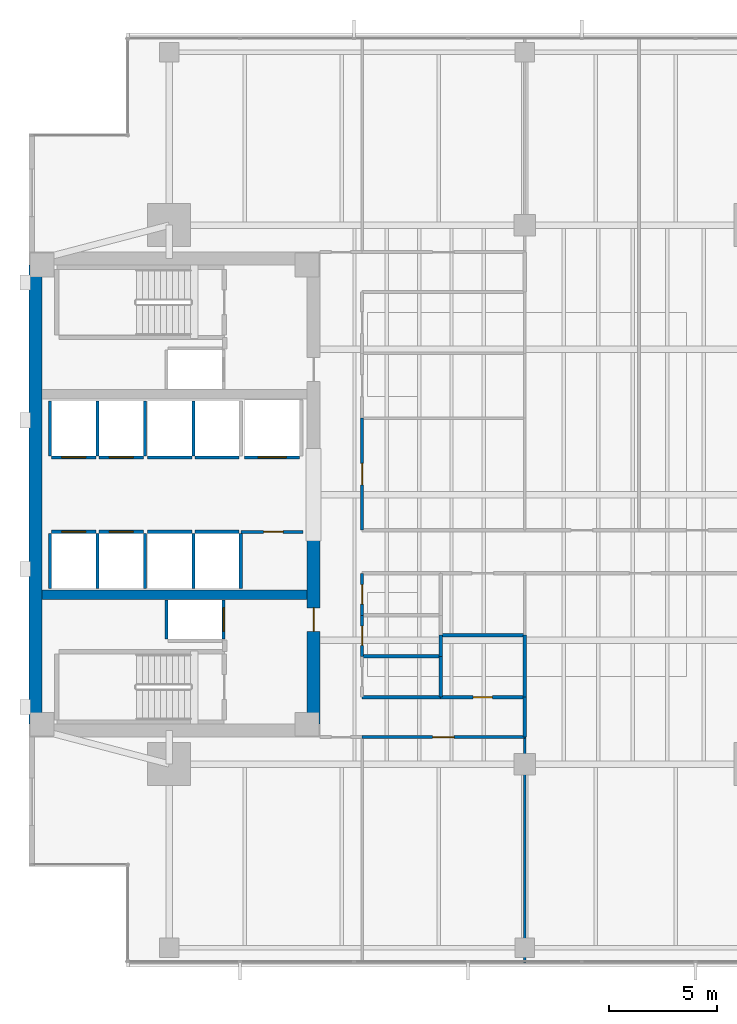
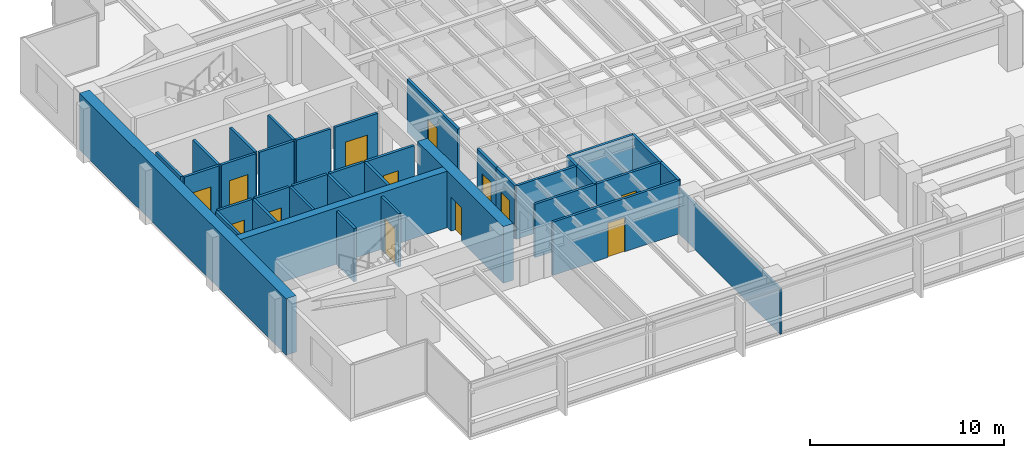
# One storey, part 9 of 15: 37 walls, 13 doors, 13 openings.
"""IFC4 building model written with IfcOpenShell, lengths in metres."""

from ifc_helpers import new_model, si_unit, direction, frame, frame_2d, origin, place, context, subcontext, project, spatial, rectangle, extrude, material, layer, layer_set, type_object, element, fill, save


model = new_model("IFC4")

# Units and contexts
model_context = context("Model", 3, precision=1e-05, world=origin(), true_north=direction((0.0, 1.0)))
body_context = subcontext(model_context, "Body", "Model", "MODEL_VIEW")
ifc_project = project(units=[si_unit("LENGTHUNIT", "METRE"), si_unit("AREAUNIT", "SQUARE_METRE"), si_unit("VOLUMEUNIT", "CUBIC_METRE"), si_unit("PLANEANGLEUNIT", "RADIAN"), si_unit("MASSUNIT", "GRAM", prefix="KILO")], contexts=[model_context])

# Site, building, storey
site_placement = place(None, origin())
site = spatial("IfcSite", under=ifc_project, at=site_placement, CompositionType="ELEMENT")
building_placement = place(site_placement, origin())
building = spatial("IfcBuilding", under=site, at=building_placement, Name="Kinhvarn Gate Tower", CompositionType="ELEMENT")
storey_placement = place(building_placement, frame((0.0, 0.0, 169.699951171875)))
storey = spatial("IfcBuildingStorey", under=building, at=storey_placement, Name="L45", CompositionType="ELEMENT", Elevation=169.699951171875)

# Wall
ifc_material_1 = material(Name="Concrete C50/60", Category="concrete")
ifc_layer_1 = layer(ifc_material_1, 0.449951171875)
ifc_layer_set_1 = layer_set([ifc_layer_1], Name="Concrete C50/60")
wall_type_1 = type_object("IfcWallType", Name="WL-CORE-450", PredefinedType="SHEAR", material=ifc_layer_set_1)
wall_1_placement = place(storey_placement, frame((5.10009765625, 20.60009765625, 0.0), z_axis=(0.0, 0.0, 1.0), x_axis=(1.0, 0.0, 0.0)))
element("IfcWall", 1, at=wall_1_placement, inside=storey, type_object=wall_type_1, Name="Core South Spine Shear Wall L45 450 mm", PredefinedType="SHEAR", context=body_context, shape_type="SweptSolid", body=[
    extrude(rectangle(XDim=12.2998046875, YDim=0.449951171875, at=frame_2d((6.14990234375, 0.0))), origin(), (0.0, 0.0, 1.0), 3.550048828125),
])

# Wall, opening, door
ifc_material_2 = material(Name="Concrete C60/75", Category="concrete")
ifc_layer_2 = layer(ifc_material_2, 0.60009765625)
ifc_layer_set_2 = layer_set([ifc_layer_2], Name="Concrete C60/75")
wall_type_2 = type_object("IfcWallType", Name="WL-CORE-600", PredefinedType="SHEAR", material=ifc_layer_set_2)
wall_2_placement = place(storey_placement, frame((17.699951171875, 14.60009765625, 0.0), z_axis=(0.0, 0.0, 1.0), x_axis=(0.0, 1.0, 0.0)))
wall_2 = element("IfcWall", 2, at=wall_2_placement, inside=storey, type_object=wall_type_2, Name="Core East-South Shear Pier L45 600 mm", PredefinedType="SHEAR", context=body_context, shape_type="SweptSolid", body=[
    extrude(rectangle(XDim=8.849853515625, YDim=0.60009765625, at=frame_2d((4.4248046875, 0.0))), origin(), (0.0, 0.0, 1.0), 3.550048828125),
])
opening_1_placement = place(wall_2_placement, frame((4.300048828125, 0.0, 0.0)))
opening_1 = element("IfcOpeningElement", 3, at=opening_1_placement, cuts=wall_2, Name="Opening FD-02", PredefinedType="OPENING", context=body_context, shape_type="SweptSolid", body=[
    extrude(rectangle(XDim=1.10009765625, YDim=2.14990234375, at=frame_2d((0.550048828125, 1.074951171875))), frame((0.0, 0.31005859375, 0.0), z_axis=(0.0, -1.0, 0.0), x_axis=(1.0, 0.0, 0.0)), (0.0, 0.0, 1.0), 0.6201171875),
])
ifc_material_3 = material(Name="Anodised aluminium AW-6063", Category="aluminium")
door_type_1 = type_object("IfcDoorType", Name="DR-FD-1100", OperationType="NOTDEFINED", PredefinedType="DOOR", material=ifc_material_3)
door_1_placement = place(opening_1_placement, origin())
door_1 = element("IfcDoor", 4, at=door_1_placement, inside=storey, type_object=door_type_1, Name="Firefighting Lobby Core Door (L45)", OperationType="SINGLE_SWING_RIGHT", OverallHeight=2.14990234375, OverallWidth=1.10009765625, PredefinedType="DOOR", context=body_context, shape_type="SweptSolid", body=[
    extrude(rectangle(XDim=1.10009765625, YDim=2.14990234375, at=frame_2d((0.550048828125, 1.074951171875))), frame((0.0, 0.02490234375, 0.0), z_axis=(0.0, -1.0, 0.0), x_axis=(1.0, 0.0, 0.0)), (0.0, 0.0, 1.0), 0.050048828125),
])
fill(opening_1, door_1)

# Walls
ifc_layer_3 = layer(ifc_material_2, 0.60009765625)
ifc_layer_set_3 = layer_set([ifc_layer_3], Name="Concrete C60/75")
wall_type_3 = type_object("IfcWallType", Name="WL-COREX-600", PredefinedType="SHEAR", material=ifc_layer_set_3)
wall_3_placement = place(storey_placement, frame((4.800048828125, 14.60009765625, 0.0), z_axis=(0.0, 0.0, 1.0), x_axis=(0.0, 1.0, 0.0)))
element("IfcWall", 5, at=wall_3_placement, inside=storey, type_object=wall_type_3, Name="Core West Shear Wall L45 600 mm", PredefinedType="SHEAR", context=body_context, shape_type="SweptSolid", body=[
    extrude(rectangle(XDim=21.2998046875, YDim=0.60009765625, at=frame_2d((10.64990234375, 0.0))), origin(), (0.0, 0.0, 1.0), 3.550048828125),
])
ifc_material_4 = material(Name="Gypsum acoustic partition board")
ifc_layer_4 = layer(ifc_material_4, 0.14990234375)
ifc_layer_set_4 = layer_set([ifc_layer_4], Name="Gypsum acoustic partition board")
wall_type_4 = type_object("IfcWallType", Name="WL-PLM-150", PredefinedType="PLUMBINGWALL", material=ifc_layer_set_4)
wall_4_placement = place(storey_placement, frame((19.949951171875, 17.75, 0.0), z_axis=(0.0, 0.0, 1.0), x_axis=(1.0, 0.0, 0.0)))
element("IfcWall", 6, at=wall_4_placement, inside=storey, type_object=wall_type_4, Name="Interior Partition PLW-150 (L45)", PredefinedType="PLUMBINGWALL", context=body_context, shape_type="SweptSolid", body=[
    extrude(rectangle(XDim=3.650146484375, YDim=0.14990234375, at=frame_2d((1.8251953125, 0.0))), origin(), (0.0, 0.0, 1.0), 3.35009765625),
])
wall_5_placement = place(storey_placement, frame((23.60009765625, 15.85009765625, 0.0), z_axis=(0.0, 0.0, 1.0), x_axis=(0.0, 1.0, 0.0)))
element("IfcWall", 7, at=wall_5_placement, inside=storey, type_object=wall_type_4, Name="Interior Partition PLW-150 (L45)", PredefinedType="PLUMBINGWALL", context=body_context, shape_type="SweptSolid", body=[
    extrude(rectangle(XDim=1.89990234375, YDim=0.14990234375, at=frame_2d((0.949951171875, 0.0))), origin(), (0.0, 0.0, 1.0), 3.35009765625),
])
wall_6_placement = place(storey_placement, frame((23.60009765625, 17.75, 0.0), z_axis=(0.0, 0.0, 1.0), x_axis=(0.0, 1.0, 0.0)))
element("IfcWall", 8, at=wall_6_placement, inside=storey, type_object=wall_type_4, Name="Interior Partition PLW-150 (L45)", PredefinedType="PLUMBINGWALL", context=body_context, shape_type="SweptSolid", body=[
    extrude(rectangle(XDim=0.97998046875, YDim=0.14990234375, at=frame_2d((0.489990234375, 0.0))), origin(), (0.0, 0.0, 1.0), 3.35009765625),
])
wall_7_placement = place(storey_placement, frame((23.60009765625, 18.72998046875, 0.0), z_axis=(0.0, 0.0, 1.0), x_axis=(1.0, 0.0, 0.0)))
element("IfcWall", 9, at=wall_7_placement, inside=storey, type_object=wall_type_4, Name="Interior Partition PLW-150 (L45)", PredefinedType="PLUMBINGWALL", context=body_context, shape_type="SweptSolid", body=[
    extrude(rectangle(XDim=3.89990234375, YDim=0.14990234375, at=frame_2d((1.949951171875, 0.0))), origin(), (0.0, 0.0, 1.0), 3.35009765625),
])
wall_8_placement = place(storey_placement, frame((27.5, 15.85009765625, 0.0), z_axis=(0.0, 0.0, 1.0), x_axis=(0.0, 1.0, 0.0)))
element("IfcWall", 10, at=wall_8_placement, inside=storey, type_object=wall_type_4, Name="Interior Partition PLW-150 (L45)", PredefinedType="PLUMBINGWALL", context=body_context, shape_type="SweptSolid", body=[
    extrude(rectangle(XDim=2.8798828125, YDim=0.14990234375, at=frame_2d((1.43994140625, 0.0))), origin(), (0.0, 0.0, 1.0), 3.35009765625),
])

# Wall, opening, door
ifc_layer_5 = layer(ifc_material_4, 0.14990234375)
ifc_layer_set_5 = layer_set([ifc_layer_5], Name="Gypsum acoustic partition board")
wall_type_5 = type_object("IfcWallType", Name="WL-PLM-150F", PredefinedType="PLUMBINGWALL", material=ifc_layer_set_5)
wall_9_placement = place(storey_placement, frame((19.949951171875, 17.75, 0.0), z_axis=(0.0, 0.0, 1.0), x_axis=(0.0, 1.0, 0.0)))
wall_9 = element("IfcWall", 11, at=wall_9_placement, inside=storey, type_object=wall_type_5, Name="Interior Partition PLW-150F (L45)", PredefinedType="PLUMBINGWALL", context=body_context, shape_type="SweptSolid", body=[
    extrude(rectangle(XDim=1.89990234375, YDim=0.14990234375, at=frame_2d((0.949951171875, 0.0))), origin(), (0.0, 0.0, 1.0), 3.35009765625),
])
opening_2_placement = place(wall_9_placement, frame((0.5, 0.0, 0.0)))
opening_2 = element("IfcOpeningElement", 12, at=opening_2_placement, cuts=wall_9, Name="Opening FD-04", PredefinedType="OPENING", context=body_context, shape_type="SweptSolid", body=[
    extrude(rectangle(XDim=0.89990234375, YDim=2.10009765625, at=frame_2d((0.449951171875, 1.050048828125))), frame((0.0, 0.0849609375, 0.0), z_axis=(0.0, -1.0, 0.0), x_axis=(1.0, 0.0, 0.0)), (0.0, 0.0, 1.0), 0.169921875),
])
door_type_2 = type_object("IfcDoorType", Name="DR-FD-900", OperationType="NOTDEFINED", PredefinedType="DOOR", material=ifc_material_3)
door_2_placement = place(opening_2_placement, origin())
door_2 = element("IfcDoor", 13, at=door_2_placement, inside=storey, type_object=door_type_2, Name="Rated Riser & Service Closet Fire Door 900x2100 mm (L45)", OperationType="SINGLE_SWING_RIGHT", OverallHeight=2.10009765625, OverallWidth=0.89990234375, PredefinedType="DOOR", context=body_context, shape_type="SweptSolid", body=[
    extrude(rectangle(XDim=0.89990234375, YDim=2.10009765625, at=frame_2d((0.449951171875, 1.050048828125))), frame((0.0, 0.02490234375, 0.0), z_axis=(0.0, -1.0, 0.0), x_axis=(1.0, 0.0, 0.0)), (0.0, 0.0, 1.0), 0.050048828125),
])
fill(opening_2, door_2)

wall_10_placement = place(storey_placement, frame((19.949951171875, 19.64990234375, 0.0), z_axis=(0.0, 0.0, 1.0), x_axis=(0.0, 1.0, 0.0)))
wall_10 = element("IfcWall", 14, at=wall_10_placement, inside=storey, type_object=wall_type_5, Name="Interior Partition PLW-150F (L45)", PredefinedType="PLUMBINGWALL", context=body_context, shape_type="SweptSolid", body=[
    extrude(rectangle(XDim=1.9501953125, YDim=0.14990234375, at=frame_2d((0.97509765625, 0.0))), origin(), (0.0, 0.0, 1.0), 3.35009765625),
])
opening_3_placement = place(wall_10_placement, frame((0.52490234375, 0.0, 0.0)))
opening_3 = element("IfcOpeningElement", 15, at=opening_3_placement, cuts=wall_10, Name="Opening FD-04", PredefinedType="OPENING", context=body_context, shape_type="SweptSolid", body=[
    extrude(rectangle(XDim=0.89990234375, YDim=2.10009765625, at=frame_2d((0.449951171875, 1.050048828125))), frame((0.0, 0.0849609375, 0.0), z_axis=(0.0, -1.0, 0.0), x_axis=(1.0, 0.0, 0.0)), (0.0, 0.0, 1.0), 0.169921875),
])
door_3_placement = place(opening_3_placement, origin())
door_3 = element("IfcDoor", 16, at=door_3_placement, inside=storey, type_object=door_type_2, Name="Rated Riser & Service Closet Fire Door 900x2100 mm (L45)", OperationType="SINGLE_SWING_LEFT", OverallHeight=2.10009765625, OverallWidth=0.89990234375, PredefinedType="DOOR", context=body_context, shape_type="SweptSolid", body=[
    extrude(rectangle(XDim=0.89990234375, YDim=2.10009765625, at=frame_2d((0.449951171875, 1.050048828125))), frame((0.0, 0.02490234375, 0.0), z_axis=(0.0, -1.0, 0.0), x_axis=(1.0, 0.0, 0.0)), (0.0, 0.0, 1.0), 0.050048828125),
])
fill(opening_3, door_3)

# Wall
wall_11_placement = place(storey_placement, frame((19.949951171875, 15.85009765625, 0.0), z_axis=(0.0, 0.0, 1.0), x_axis=(1.0, 0.0, 0.0)))
element("IfcWall", 17, at=wall_11_placement, inside=storey, type_object=wall_type_5, Name="Interior Partition PLW-150F (L45)", PredefinedType="PLUMBINGWALL", context=body_context, shape_type="SweptSolid", body=[
    extrude(rectangle(XDim=3.650146484375, YDim=0.14990234375, at=frame_2d((1.8251953125, 0.0))), origin(), (0.0, 0.0, 1.0), 3.35009765625),
])

# Wall, opening, door
wall_12_placement = place(storey_placement, frame((23.60009765625, 15.85009765625, 0.0), z_axis=(0.0, 0.0, 1.0), x_axis=(1.0, 0.0, 0.0)))
wall_12 = element("IfcWall", 18, at=wall_12_placement, inside=storey, type_object=wall_type_5, Name="Interior Partition PLW-150F (L45)", PredefinedType="PLUMBINGWALL", context=body_context, shape_type="SweptSolid", body=[
    extrude(rectangle(XDim=3.89990234375, YDim=0.14990234375, at=frame_2d((1.949951171875, 0.0))), origin(), (0.0, 0.0, 1.0), 3.35009765625),
])
opening_4_placement = place(wall_12_placement, frame((1.5, 0.0, 0.0)))
opening_4 = element("IfcOpeningElement", 19, at=opening_4_placement, cuts=wall_12, Name="Opening FD-04", PredefinedType="OPENING", context=body_context, shape_type="SweptSolid", body=[
    extrude(rectangle(XDim=0.89990234375, YDim=2.10009765625, at=frame_2d((0.449951171875, 1.050048828125))), frame((0.0, 0.0849609375, 0.0), z_axis=(0.0, -1.0, 0.0), x_axis=(1.0, 0.0, 0.0)), (0.0, 0.0, 1.0), 0.169921875),
])
door_4_placement = place(opening_4_placement, origin())
door_4 = element("IfcDoor", 20, at=door_4_placement, inside=storey, type_object=door_type_2, Name="Rated Riser & Service Closet Fire Door 900x2100 mm (L45)", OperationType="SINGLE_SWING_LEFT", OverallHeight=2.10009765625, OverallWidth=0.89990234375, PredefinedType="DOOR", context=body_context, shape_type="SweptSolid", body=[
    extrude(rectangle(XDim=0.89990234375, YDim=2.10009765625, at=frame_2d((0.449951171875, 1.050048828125))), frame((0.0, 0.02490234375, 0.0), z_axis=(0.0, -1.0, 0.0), x_axis=(1.0, 0.0, 0.0)), (0.0, 0.0, 1.0), 0.050048828125),
])
fill(opening_4, door_4)

# Wall
ifc_layer_6 = layer(ifc_material_4, 0.1201171875)
ifc_layer_set_6 = layer_set([ifc_layer_6], Name="Gypsum acoustic partition board")
wall_type_6 = type_object("IfcWallType", Name="WL-PRT-120", PredefinedType="PARTITIONING", material=ifc_layer_set_6)
wall_13_placement = place(storey_placement, frame((27.5, 3.510009765625, 0.0), z_axis=(0.0, 0.0, 1.0), x_axis=(0.0, 1.0, 0.0)))
element("IfcWall", 21, at=wall_13_placement, inside=storey, type_object=wall_type_6, Name="Interior Partition PW-120 (L45)", PredefinedType="PARTITIONING", context=body_context, shape_type="SweptSolid", body=[
    extrude(rectangle(XDim=10.489990234375, YDim=0.1201171875, at=frame_2d((5.2451171875, 0.0))), origin(), (0.0, 0.0, 1.0), 2.85009765625),
])

# Wall, opening, door
ifc_layer_7 = layer(ifc_material_4, 0.14990234375)
ifc_layer_set_7 = layer_set([ifc_layer_7], Name="Gypsum acoustic partition board")
wall_type_7 = type_object("IfcWallType", Name="WL-PRT-150F", PredefinedType="PARTITIONING", material=ifc_layer_set_7)
wall_14_placement = place(storey_placement, frame((14.330078125, 23.52001953125, 0.0), z_axis=(0.0, 0.0, 1.0), x_axis=(1.0, 0.0, 0.0)))
wall_14 = element("IfcWall", 22, at=wall_14_placement, inside=storey, type_object=wall_type_7, Name="Interior Partition PW-150F (L45)", PredefinedType="PARTITIONING", context=body_context, shape_type="SweptSolid", body=[
    extrude(rectangle(XDim=2.889892578125, YDim=0.14990234375, at=frame_2d((1.44482421875, 0.0))), origin(), (0.0, 0.0, 1.0), 3.35009765625),
])
opening_5_placement = place(wall_14_placement, frame((1.052734375, 0.0, 0.0)))
opening_5 = element("IfcOpeningElement", 23, at=opening_5_placement, cuts=wall_14, Name="Opening FD-04", PredefinedType="OPENING", context=body_context, shape_type="SweptSolid", body=[
    extrude(rectangle(XDim=0.89990234375, YDim=2.10009765625, at=frame_2d((0.449951171875, 1.050048828125))), frame((0.0, 0.0849609375, 0.0), z_axis=(0.0, -1.0, 0.0), x_axis=(1.0, 0.0, 0.0)), (0.0, 0.0, 1.0), 0.169921875),
])
door_5_placement = place(opening_5_placement, origin())
door_5 = element("IfcDoor", 24, at=door_5_placement, inside=storey, type_object=door_type_2, Name="Rated Riser & Service Closet Fire Door 900x2100 mm (L45)", OperationType="SINGLE_SWING_RIGHT", OverallHeight=2.10009765625, OverallWidth=0.89990234375, PredefinedType="DOOR", context=body_context, shape_type="SweptSolid", body=[
    extrude(rectangle(XDim=0.89990234375, YDim=2.10009765625, at=frame_2d((0.449951171875, 1.050048828125))), frame((0.0, 0.02490234375, 0.0), z_axis=(0.0, -1.0, 0.0), x_axis=(1.0, 0.0, 0.0)), (0.0, 0.0, 1.0), 0.050048828125),
])
fill(opening_5, door_5)

wall_15_placement = place(storey_placement, frame((19.949951171875, 23.60009765625, 0.0), z_axis=(0.0, 0.0, 1.0), x_axis=(0.0, 1.0, 0.0)))
wall_15 = element("IfcWall", 25, at=wall_15_placement, inside=storey, type_object=wall_type_7, Name="Interior Partition PW-150F (L45)", PredefinedType="PARTITIONING", context=body_context, shape_type="SweptSolid", body=[
    extrude(rectangle(XDim=5.199951171875, YDim=0.14990234375, at=frame_2d((2.60009765625, 0.0))), origin(), (0.0, 0.0, 1.0), 3.35009765625),
])
opening_6_placement = place(wall_15_placement, frame((2.10009765625, 0.0, 0.0)))
opening_6 = element("IfcOpeningElement", 26, at=opening_6_placement, cuts=wall_15, Name="Opening ID-02", PredefinedType="OPENING", context=body_context, shape_type="SweptSolid", body=[
    extrude(rectangle(XDim=1.0, YDim=2.14990234375, at=frame_2d((0.5, 1.074951171875))), frame((0.0, 0.0849609375, 0.0), z_axis=(0.0, -1.0, 0.0), x_axis=(1.0, 0.0, 0.0)), (0.0, 0.0, 1.0), 0.169921875),
])
door_type_3 = type_object("IfcDoorType", Name="DR-INT-1000", OperationType="NOTDEFINED", PredefinedType="DOOR", material=ifc_material_3)
door_6_placement = place(opening_6_placement, origin())
door_6 = element("IfcDoor", 27, at=door_6_placement, inside=storey, type_object=door_type_3, Name="Standard Office & Meeting Room Door 1000x2150 mm (L45)", OperationType="SINGLE_SWING_RIGHT", OverallHeight=2.14990234375, OverallWidth=1.0, PredefinedType="DOOR", context=body_context, shape_type="SweptSolid", body=[
    extrude(rectangle(XDim=1.0, YDim=2.14990234375, at=frame_2d((0.5, 1.074951171875))), frame((0.0, 0.02490234375, 0.0), z_axis=(0.0, -1.0, 0.0), x_axis=(1.0, 0.0, 0.0)), (0.0, 0.0, 1.0), 0.050048828125),
])
fill(opening_6, door_6)

wall_16_placement = place(storey_placement, frame((19.949951171875, 14.0, 0.0), z_axis=(0.0, 0.0, 1.0), x_axis=(1.0, 0.0, 0.0)))
wall_16 = element("IfcWall", 28, at=wall_16_placement, inside=storey, type_object=wall_type_7, Name="Interior Partition PW-150F (L45)", PredefinedType="PARTITIONING", context=body_context, shape_type="SweptSolid", body=[
    extrude(rectangle(XDim=7.550048828125, YDim=0.14990234375, at=frame_2d((3.77490234375, 0.0))), origin(), (0.0, 0.0, 1.0), 3.35009765625),
])
opening_7_placement = place(wall_16_placement, frame((3.27490234375, 0.0, 0.0)))
opening_7 = element("IfcOpeningElement", 29, at=opening_7_placement, cuts=wall_16, Name="Opening ID-02", PredefinedType="OPENING", context=body_context, shape_type="SweptSolid", body=[
    extrude(rectangle(XDim=1.0, YDim=2.14990234375, at=frame_2d((0.5, 1.074951171875))), frame((0.0, 0.0849609375, 0.0), z_axis=(0.0, -1.0, 0.0), x_axis=(1.0, 0.0, 0.0)), (0.0, 0.0, 1.0), 0.169921875),
])
door_7_placement = place(opening_7_placement, origin())
door_7 = element("IfcDoor", 30, at=door_7_placement, inside=storey, type_object=door_type_3, Name="Standard Office & Meeting Room Door 1000x2150 mm (L45)", OperationType="SINGLE_SWING_RIGHT", OverallHeight=2.14990234375, OverallWidth=1.0, PredefinedType="DOOR", context=body_context, shape_type="SweptSolid", body=[
    extrude(rectangle(XDim=1.0, YDim=2.14990234375, at=frame_2d((0.5, 1.074951171875))), frame((0.0, 0.02490234375, 0.0), z_axis=(0.0, -1.0, 0.0), x_axis=(1.0, 0.0, 0.0)), (0.0, 0.0, 1.0), 0.050048828125),
])
fill(opening_7, door_7)

# Wall
wall_17_placement = place(storey_placement, frame((27.5, 14.0, 0.0), z_axis=(0.0, 0.0, 1.0), x_axis=(0.0, 1.0, 0.0)))
element("IfcWall", 31, at=wall_17_placement, inside=storey, type_object=wall_type_7, Name="Interior Partition PW-150F (L45)", PredefinedType="PARTITIONING", context=body_context, shape_type="SweptSolid", body=[
    extrude(rectangle(XDim=1.85009765625, YDim=0.14990234375, at=frame_2d((0.925048828125, 0.0))), origin(), (0.0, 0.0, 1.0), 3.35009765625),
])

# Wall, opening, door
ifc_layer_8 = layer(ifc_material_4, 0.14990234375)
ifc_layer_set_8 = layer_set([ifc_layer_8], Name="Gypsum acoustic partition board")
wall_type_8 = type_object("IfcWallType", Name="WL-SHF-150", PredefinedType="PARTITIONING", material=ifc_layer_set_8)
wall_18_placement = place(storey_placement, frame((5.550048828125, 23.52490234375, 0.0), z_axis=(0.0, 0.0, 1.0), x_axis=(1.0, 0.0, 0.0)))
wall_18 = element("IfcWall", 32, at=wall_18_placement, inside=storey, type_object=wall_type_8, Name="Elevator PM-05 Landing Wall (L45)", PredefinedType="PARTITIONING", context=body_context, shape_type="SweptSolid", body=[
    extrude(rectangle(XDim=2.050048828125, YDim=0.14990234375, at=frame_2d((1.02490234375, 0.0))), origin(), (0.0, 0.0, 1.0), 3.35009765625),
])
opening_8_placement = place(wall_18_placement, frame((0.47509765625, 0.0, 0.0)))
opening_8 = element("IfcOpeningElement", 33, at=opening_8_placement, cuts=wall_18, Name="Opening LD-01", PredefinedType="OPENING", context=body_context, shape_type="SweptSolid", body=[
    extrude(rectangle(XDim=1.10009765625, YDim=2.199951171875, at=frame_2d((0.550048828125, 1.10009765625))), frame((0.0, 0.0849609375, 0.0), z_axis=(0.0, -1.0, 0.0), x_axis=(1.0, 0.0, 0.0)), (0.0, 0.0, 1.0), 0.169921875),
])
door_type_4 = type_object("IfcDoorType", Name="DR-LND-PAS", OperationType="NOTDEFINED", PredefinedType="DOOR", material=ifc_material_3)
door_8_placement = place(opening_8_placement, origin())
door_8 = element("IfcDoor", 34, at=door_8_placement, inside=storey, type_object=door_type_4, Name="Elevator PM-05 Sliding Landing Door (L45)", OperationType="DOUBLE_DOOR_SLIDING", OverallHeight=2.199951171875, OverallWidth=1.10009765625, PredefinedType="DOOR", context=body_context, shape_type="SweptSolid", body=[
    extrude(rectangle(XDim=1.10009765625, YDim=2.199951171875, at=frame_2d((0.550048828125, 1.10009765625))), frame((0.0, 0.02490234375, 0.0), z_axis=(0.0, -1.0, 0.0), x_axis=(1.0, 0.0, 0.0)), (0.0, 0.0, 1.0), 0.050048828125),
])
fill(opening_8, door_8)

# Walls
for number, where, z_axis, x_axis, name in (
    (35, (5.47509765625, 20.89990234375, 0.0), (0.0, 0.0, 1.0), (0.0, 1.0, 0.0), "Elevator PM-05 Hoistway Wall W (L45)"),
    (36, (7.675048828125, 20.89990234375, 0.0), (0.0, 0.0, 1.0), (0.0, 1.0, 0.0), "Elevator PM-05 Hoistway Wall E (L45)"),
):
    element("IfcWall", number, at=place(storey_placement, frame(where, z_axis=z_axis, x_axis=x_axis)), inside=storey, type_object=wall_type_8, Name=name, PredefinedType="PARTITIONING", context=body_context, shape_type="SweptSolid", body=[
        extrude(rectangle(XDim=2.550048828125, YDim=0.14990234375, at=frame_2d((1.27490234375, 0.0))), origin(), (0.0, 0.0, 1.0), 3.35009765625),
    ])

# Wall, opening, door
wall_19_placement = place(storey_placement, frame((7.75, 23.52490234375, 0.0), z_axis=(0.0, 0.0, 1.0), x_axis=(1.0, 0.0, 0.0)))
wall_19 = element("IfcWall", 37, at=wall_19_placement, inside=storey, type_object=wall_type_8, Name="Elevator PM-06 Landing Wall (L45)", PredefinedType="PARTITIONING", context=body_context, shape_type="SweptSolid", body=[
    extrude(rectangle(XDim=2.050048828125, YDim=0.14990234375, at=frame_2d((1.02490234375, 0.0))), origin(), (0.0, 0.0, 1.0), 3.35009765625),
])
opening_9_placement = place(wall_19_placement, frame((0.47509765625, 0.0, 0.0)))
opening_9 = element("IfcOpeningElement", 38, at=opening_9_placement, cuts=wall_19, Name="Opening LD-01", PredefinedType="OPENING", context=body_context, shape_type="SweptSolid", body=[
    extrude(rectangle(XDim=1.10009765625, YDim=2.199951171875, at=frame_2d((0.550048828125, 1.10009765625))), frame((0.0, 0.0849609375, 0.0), z_axis=(0.0, -1.0, 0.0), x_axis=(1.0, 0.0, 0.0)), (0.0, 0.0, 1.0), 0.169921875),
])
door_9_placement = place(opening_9_placement, origin())
door_9 = element("IfcDoor", 39, at=door_9_placement, inside=storey, type_object=door_type_4, Name="Elevator PM-06 Sliding Landing Door (L45)", OperationType="DOUBLE_DOOR_SLIDING", OverallHeight=2.199951171875, OverallWidth=1.10009765625, PredefinedType="DOOR", context=body_context, shape_type="SweptSolid", body=[
    extrude(rectangle(XDim=1.10009765625, YDim=2.199951171875, at=frame_2d((0.550048828125, 1.10009765625))), frame((0.0, 0.02490234375, 0.0), z_axis=(0.0, -1.0, 0.0), x_axis=(1.0, 0.0, 0.0)), (0.0, 0.0, 1.0), 0.050048828125),
])
fill(opening_9, door_9)

# Wall
wall_20_placement = place(storey_placement, frame((9.875, 20.89990234375, 0.0), z_axis=(0.0, 0.0, 1.0), x_axis=(0.0, 1.0, 0.0)))
element("IfcWall", 40, at=wall_20_placement, inside=storey, type_object=wall_type_8, Name="Elevator PM-06 Hoistway Wall E (L45)", PredefinedType="PARTITIONING", context=body_context, shape_type="SweptSolid", body=[
    extrude(rectangle(XDim=2.550048828125, YDim=0.14990234375, at=frame_2d((1.27490234375, 0.0))), origin(), (0.0, 0.0, 1.0), 3.35009765625),
])

# Wall, opening, door
wall_21_placement = place(storey_placement, frame((5.550048828125, 26.97509765625, 0.0), z_axis=(0.0, 0.0, 1.0), x_axis=(1.0, 0.0, 0.0)))
wall_21 = element("IfcWall", 41, at=wall_21_placement, inside=storey, type_object=wall_type_8, Name="Elevator PM-07 Landing Wall (L45)", PredefinedType="PARTITIONING", context=body_context, shape_type="SweptSolid", body=[
    extrude(rectangle(XDim=2.050048828125, YDim=0.14990234375, at=frame_2d((1.02490234375, 0.0))), origin(), (0.0, 0.0, 1.0), 3.35009765625),
])
opening_10_placement = place(wall_21_placement, frame((0.47509765625, 0.0, 0.0)))
opening_10 = element("IfcOpeningElement", 42, at=opening_10_placement, cuts=wall_21, Name="Opening LD-01", PredefinedType="OPENING", context=body_context, shape_type="SweptSolid", body=[
    extrude(rectangle(XDim=1.10009765625, YDim=2.199951171875, at=frame_2d((0.550048828125, 1.10009765625))), frame((0.0, 0.0849609375, 0.0), z_axis=(0.0, -1.0, 0.0), x_axis=(1.0, 0.0, 0.0)), (0.0, 0.0, 1.0), 0.169921875),
])
door_10_placement = place(opening_10_placement, origin())
door_10 = element("IfcDoor", 43, at=door_10_placement, inside=storey, type_object=door_type_4, Name="Elevator PM-07 Sliding Landing Door (L45)", OperationType="DOUBLE_DOOR_SLIDING", OverallHeight=2.199951171875, OverallWidth=1.10009765625, PredefinedType="DOOR", context=body_context, shape_type="SweptSolid", body=[
    extrude(rectangle(XDim=1.10009765625, YDim=2.199951171875, at=frame_2d((0.550048828125, 1.10009765625))), frame((0.0, 0.02490234375, 0.0), z_axis=(0.0, -1.0, 0.0), x_axis=(1.0, 0.0, 0.0)), (0.0, 0.0, 1.0), 0.050048828125),
])
fill(opening_10, door_10)

# Walls
for number, where, z_axis, x_axis, name in (
    (44, (5.47509765625, 27.050048828125, 0.0), (0.0, 0.0, 1.0), (0.0, 1.0, 0.0), "Elevator PM-07 Hoistway Wall W (L45)"),
    (45, (7.675048828125, 27.050048828125, 0.0), (0.0, 0.0, 1.0), (0.0, 1.0, 0.0), "Elevator PM-07 Hoistway Wall E (L45)"),
):
    element("IfcWall", number, at=place(storey_placement, frame(where, z_axis=z_axis, x_axis=x_axis)), inside=storey, type_object=wall_type_8, Name=name, PredefinedType="PARTITIONING", context=body_context, shape_type="SweptSolid", body=[
        extrude(rectangle(XDim=2.550048828125, YDim=0.14990234375, at=frame_2d((1.27490234375, 0.0))), origin(), (0.0, 0.0, 1.0), 3.35009765625),
    ])

# Wall, opening, door
wall_22_placement = place(storey_placement, frame((7.75, 26.97509765625, 0.0), z_axis=(0.0, 0.0, 1.0), x_axis=(1.0, 0.0, 0.0)))
wall_22 = element("IfcWall", 46, at=wall_22_placement, inside=storey, type_object=wall_type_8, Name="Elevator PM-08 Landing Wall (L45)", PredefinedType="PARTITIONING", context=body_context, shape_type="SweptSolid", body=[
    extrude(rectangle(XDim=2.050048828125, YDim=0.14990234375, at=frame_2d((1.02490234375, 0.0))), origin(), (0.0, 0.0, 1.0), 3.35009765625),
])
opening_11_placement = place(wall_22_placement, frame((0.47509765625, 0.0, 0.0)))
opening_11 = element("IfcOpeningElement", 47, at=opening_11_placement, cuts=wall_22, Name="Opening LD-01", PredefinedType="OPENING", context=body_context, shape_type="SweptSolid", body=[
    extrude(rectangle(XDim=1.10009765625, YDim=2.199951171875, at=frame_2d((0.550048828125, 1.10009765625))), frame((0.0, 0.0849609375, 0.0), z_axis=(0.0, -1.0, 0.0), x_axis=(1.0, 0.0, 0.0)), (0.0, 0.0, 1.0), 0.169921875),
])
door_11_placement = place(opening_11_placement, origin())
door_11 = element("IfcDoor", 48, at=door_11_placement, inside=storey, type_object=door_type_4, Name="Elevator PM-08 Sliding Landing Door (L45)", OperationType="DOUBLE_DOOR_SLIDING", OverallHeight=2.199951171875, OverallWidth=1.10009765625, PredefinedType="DOOR", context=body_context, shape_type="SweptSolid", body=[
    extrude(rectangle(XDim=1.10009765625, YDim=2.199951171875, at=frame_2d((0.550048828125, 1.10009765625))), frame((0.0, 0.02490234375, 0.0), z_axis=(0.0, -1.0, 0.0), x_axis=(1.0, 0.0, 0.0)), (0.0, 0.0, 1.0), 0.050048828125),
])
fill(opening_11, door_11)

# Walls
wall_23_placement = place(storey_placement, frame((9.875, 27.050048828125, 0.0), z_axis=(0.0, 0.0, 1.0), x_axis=(0.0, 1.0, 0.0)))
element("IfcWall", 49, at=wall_23_placement, inside=storey, type_object=wall_type_8, Name="Elevator PM-08 Hoistway Wall E (L45)", PredefinedType="PARTITIONING", context=body_context, shape_type="SweptSolid", body=[
    extrude(rectangle(XDim=2.550048828125, YDim=0.14990234375, at=frame_2d((1.27490234375, 0.0))), origin(), (0.0, 0.0, 1.0), 3.35009765625),
])
wall_24_placement = place(storey_placement, frame((10.0, 23.52490234375, 0.0), z_axis=(0.0, 0.0, 1.0), x_axis=(1.0, 0.0, 0.0)))
element("IfcWall", 50, at=wall_24_placement, inside=storey, type_object=wall_type_8, Name="Elevator PH-09 Landing Wall (L45)", PredefinedType="PARTITIONING", context=body_context, shape_type="SweptSolid", body=[
    extrude(rectangle(XDim=2.050048828125, YDim=0.14990234375, at=frame_2d((1.02490234375, 0.0))), origin(), (0.0, 0.0, 1.0), 3.35009765625),
])
wall_25_placement = place(storey_placement, frame((12.125, 20.89990234375, 0.0), z_axis=(0.0, 0.0, 1.0), x_axis=(0.0, 1.0, 0.0)))
element("IfcWall", 51, at=wall_25_placement, inside=storey, type_object=wall_type_8, Name="Elevator PH-09 Hoistway Wall E (L45)", PredefinedType="PARTITIONING", context=body_context, shape_type="SweptSolid", body=[
    extrude(rectangle(XDim=2.550048828125, YDim=0.14990234375, at=frame_2d((1.27490234375, 0.0))), origin(), (0.0, 0.0, 1.0), 3.35009765625),
])
wall_26_placement = place(storey_placement, frame((12.199951171875, 23.52490234375, 0.0), z_axis=(0.0, 0.0, 1.0), x_axis=(1.0, 0.0, 0.0)))
element("IfcWall", 52, at=wall_26_placement, inside=storey, type_object=wall_type_8, Name="Elevator PH-10 Landing Wall (L45)", PredefinedType="PARTITIONING", context=body_context, shape_type="SweptSolid", body=[
    extrude(rectangle(XDim=2.050048828125, YDim=0.14990234375, at=frame_2d((1.02490234375, 0.0))), origin(), (0.0, 0.0, 1.0), 3.35009765625),
])
wall_27_placement = place(storey_placement, frame((14.324951171875, 20.89990234375, 0.0), z_axis=(0.0, 0.0, 1.0), x_axis=(0.0, 1.0, 0.0)))
element("IfcWall", 53, at=wall_27_placement, inside=storey, type_object=wall_type_8, Name="Elevator PH-10 Hoistway Wall E (L45)", PredefinedType="PARTITIONING", context=body_context, shape_type="SweptSolid", body=[
    extrude(rectangle(XDim=2.550048828125, YDim=0.14990234375, at=frame_2d((1.27490234375, 0.0))), origin(), (0.0, 0.0, 1.0), 3.35009765625),
])
wall_28_placement = place(storey_placement, frame((10.0, 26.97509765625, 0.0), z_axis=(0.0, 0.0, 1.0), x_axis=(1.0, 0.0, 0.0)))
element("IfcWall", 54, at=wall_28_placement, inside=storey, type_object=wall_type_8, Name="Elevator PH-11 Landing Wall (L45)", PredefinedType="PARTITIONING", context=body_context, shape_type="SweptSolid", body=[
    extrude(rectangle(XDim=2.050048828125, YDim=0.14990234375, at=frame_2d((1.02490234375, 0.0))), origin(), (0.0, 0.0, 1.0), 3.35009765625),
])
wall_29_placement = place(storey_placement, frame((12.125, 27.050048828125, 0.0), z_axis=(0.0, 0.0, 1.0), x_axis=(0.0, 1.0, 0.0)))
element("IfcWall", 55, at=wall_29_placement, inside=storey, type_object=wall_type_8, Name="Elevator PH-11 Hoistway Wall E (L45)", PredefinedType="PARTITIONING", context=body_context, shape_type="SweptSolid", body=[
    extrude(rectangle(XDim=2.550048828125, YDim=0.14990234375, at=frame_2d((1.27490234375, 0.0))), origin(), (0.0, 0.0, 1.0), 3.35009765625),
])
wall_30_placement = place(storey_placement, frame((12.199951171875, 26.97509765625, 0.0), z_axis=(0.0, 0.0, 1.0), x_axis=(1.0, 0.0, 0.0)))
element("IfcWall", 56, at=wall_30_placement, inside=storey, type_object=wall_type_8, Name="Elevator PH-12 Landing Wall (L45)", PredefinedType="PARTITIONING", context=body_context, shape_type="SweptSolid", body=[
    extrude(rectangle(XDim=2.050048828125, YDim=0.14990234375, at=frame_2d((1.02490234375, 0.0))), origin(), (0.0, 0.0, 1.0), 3.35009765625),
])

# Wall, opening, door
wall_31_placement = place(storey_placement, frame((14.5, 26.97509765625, 0.0), z_axis=(0.0, 0.0, 1.0), x_axis=(1.0, 0.0, 0.0)))
wall_31 = element("IfcWall", 57, at=wall_31_placement, inside=storey, type_object=wall_type_8, Name="Elevator SV-01 Landing Wall (L45)", PredefinedType="PARTITIONING", context=body_context, shape_type="SweptSolid", body=[
    extrude(rectangle(XDim=2.550048828125, YDim=0.14990234375, at=frame_2d((1.27490234375, 0.0))), origin(), (0.0, 0.0, 1.0), 3.35009765625),
])
opening_12_placement = place(wall_31_placement, frame((0.625, 0.0, 0.0)))
opening_12 = element("IfcOpeningElement", 58, at=opening_12_placement, cuts=wall_31, Name="Opening LD-02", PredefinedType="OPENING", context=body_context, shape_type="SweptSolid", body=[
    extrude(rectangle(XDim=1.300048828125, YDim=2.199951171875, at=frame_2d((0.64990234375, 1.10009765625))), frame((0.0, 0.0849609375, 0.0), z_axis=(0.0, -1.0, 0.0), x_axis=(1.0, 0.0, 0.0)), (0.0, 0.0, 1.0), 0.169921875),
])
door_type_5 = type_object("IfcDoorType", Name="DR-LND-SRV", OperationType="NOTDEFINED", PredefinedType="DOOR", material=ifc_material_3)
door_12_placement = place(opening_12_placement, origin())
door_12 = element("IfcDoor", 59, at=door_12_placement, inside=storey, type_object=door_type_5, Name="Elevator SV-01 Sliding Landing Door (L45)", OperationType="DOUBLE_DOOR_SLIDING", OverallHeight=2.199951171875, OverallWidth=1.300048828125, PredefinedType="DOOR", context=body_context, shape_type="SweptSolid", body=[
    extrude(rectangle(XDim=1.300048828125, YDim=2.199951171875, at=frame_2d((0.64990234375, 1.10009765625))), frame((0.0, 0.02490234375, 0.0), z_axis=(0.0, -1.0, 0.0), x_axis=(1.0, 0.0, 0.0)), (0.0, 0.0, 1.0), 0.050048828125),
])
fill(opening_12, door_12)

# Wall
wall_32_placement = place(storey_placement, frame((10.875, 18.550048828125, 0.0), z_axis=(0.0, 0.0, 1.0), x_axis=(0.0, 1.0, 0.0)))
element("IfcWall", 60, at=wall_32_placement, inside=storey, type_object=wall_type_8, Name="Elevator FF1 Hoistway Wall W (L45)", PredefinedType="PARTITIONING", context=body_context, shape_type="SweptSolid", body=[
    extrude(rectangle(XDim=1.800048828125, YDim=0.14990234375, at=frame_2d((0.89990234375, 0.0))), origin(), (0.0, 0.0, 1.0), 3.35009765625),
])

# Wall, opening, door
wall_33_placement = place(storey_placement, frame((13.52490234375, 18.550048828125, 0.0), z_axis=(0.0, 0.0, 1.0), x_axis=(0.0, 1.0, 0.0)))
wall_33 = element("IfcWall", 61, at=wall_33_placement, inside=storey, type_object=wall_type_8, Name="Elevator FF1 Landing Wall (L45)", PredefinedType="PARTITIONING", context=body_context, shape_type="SweptSolid", body=[
    extrude(rectangle(XDim=1.800048828125, YDim=0.14990234375, at=frame_2d((0.89990234375, 0.0))), origin(), (0.0, 0.0, 1.0), 3.35009765625),
])
opening_13_placement = place(wall_33_placement, frame((0.35009765625, 0.0, 0.0)))
opening_13 = element("IfcOpeningElement", 62, at=opening_13_placement, cuts=wall_33, Name="Opening LD-03", PredefinedType="OPENING", context=body_context, shape_type="SweptSolid", body=[
    extrude(rectangle(XDim=1.10009765625, YDim=2.199951171875, at=frame_2d((0.550048828125, 1.10009765625))), frame((0.0, 0.0849609375, 0.0), z_axis=(0.0, -1.0, 0.0), x_axis=(1.0, 0.0, 0.0)), (0.0, 0.0, 1.0), 0.169921875),
])
door_type_6 = type_object("IfcDoorType", Name="DR-LND-FF", OperationType="NOTDEFINED", PredefinedType="DOOR", material=ifc_material_3)
door_13_placement = place(opening_13_placement, origin())
door_13 = element("IfcDoor", 63, at=door_13_placement, inside=storey, type_object=door_type_6, Name="Elevator FF1 Sliding Landing Door (L45)", OperationType="DOUBLE_DOOR_SLIDING", OverallHeight=2.199951171875, OverallWidth=1.10009765625, PredefinedType="DOOR", context=body_context, shape_type="SweptSolid", body=[
    extrude(rectangle(XDim=1.10009765625, YDim=2.199951171875, at=frame_2d((0.550048828125, 1.10009765625))), frame((0.0, 0.02490234375, 0.0), z_axis=(0.0, -1.0, 0.0), x_axis=(1.0, 0.0, 0.0)), (0.0, 0.0, 1.0), 0.050048828125),
])
fill(opening_13, door_13)

save(model, "model.ifc")
